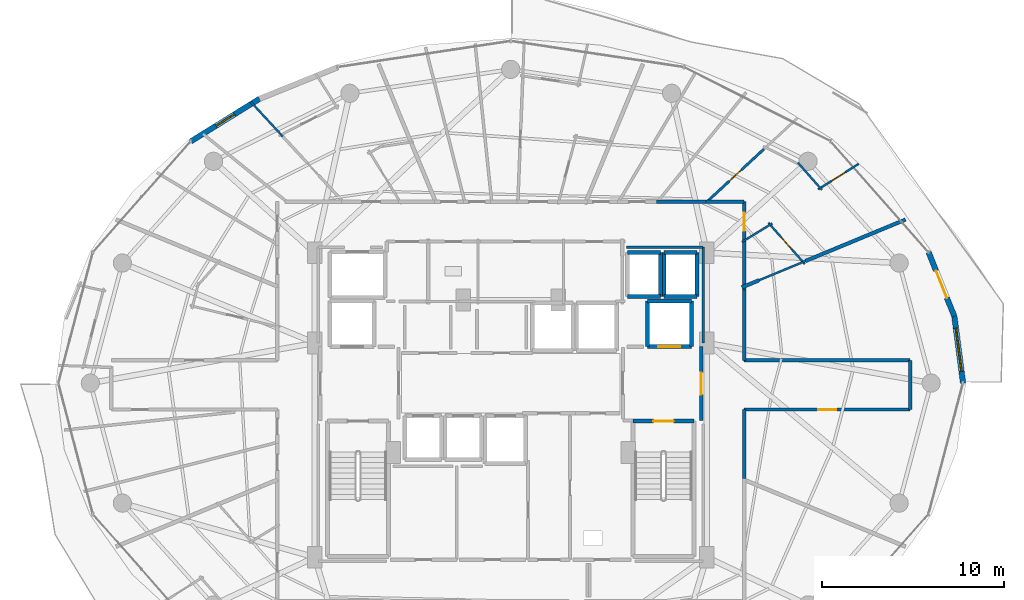
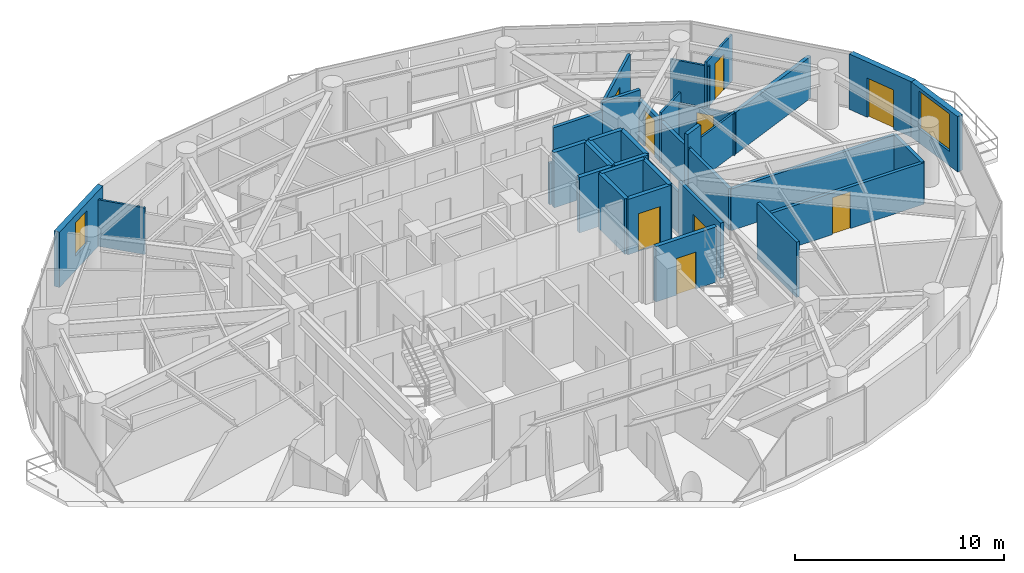
# One storey, part 24 of 28: 36 walls, 9 doors, 2 windows, 11 openings.
"""IFC4 building model written with IfcOpenShell, lengths in metres."""

from ifc_helpers import new_model, si_unit, direction, frame, frame_2d, origin, place, context, subcontext, project, spatial, rectangle, extrude, material, layer, layer_set, type_object, element, fill, save


model = new_model("IFC4")

# Units and contexts
model_context = context("Model", 3, precision=1e-05, world=origin(), true_north=direction((0.0, 1.0)))
body_context = subcontext(model_context, "Body", "Model", "MODEL_VIEW")
ifc_project = project(units=[si_unit("LENGTHUNIT", "METRE"), si_unit("AREAUNIT", "SQUARE_METRE"), si_unit("VOLUMEUNIT", "CUBIC_METRE"), si_unit("PLANEANGLEUNIT", "RADIAN"), si_unit("MASSUNIT", "GRAM", prefix="KILO")], contexts=[model_context])

# Site, building, storey
site_placement = place(None, origin())
site = spatial("IfcSite", under=ifc_project, at=site_placement, CompositionType="ELEMENT")
building_placement = place(site_placement, origin())
building = spatial("IfcBuilding", under=site, at=building_placement, Name="Vorneva Point Tower", CompositionType="ELEMENT")
storey_placement = place(building_placement, frame((0.0, 0.0, 143.10009765625)))
storey = spatial("IfcBuildingStorey", under=building, at=storey_placement, Name="L38", CompositionType="ELEMENT", Elevation=143.10009765625)

# Wall, opening, door
ifc_material_1 = material(Name="Concrete B60 (C50/60)", Category="concrete")
ifc_layer_1 = layer(ifc_material_1, 0.5)
ifc_layer_set_1 = layer_set([ifc_layer_1], Name="Concrete B60 (C50/60)")
wall_type_1 = type_object("IfcWallType", Name="WL-CORE-500", PredefinedType="SHEAR", material=ifc_layer_set_1)
wall_1_placement = place(storey_placement, frame((45.5, 28.0, 0.0), z_axis=(0.0, 0.0, 1.0), x_axis=(1.0, 0.0, 0.0)))
wall_1 = element("IfcWall", 1, at=wall_1_placement, inside=storey, type_object=wall_type_1, Name="L38 Lift FFL2 Shaft Wall -Y", PredefinedType="SHEAR", context=body_context, shape_type="SweptSolid", body=[
    extrude(rectangle(XDim=2.39990234375, YDim=0.219970703125, at=frame_2d((1.199951171875, 0.0))), origin(), (0.0, 0.0, 1.0), 3.239990234375),
])
opening_1_placement = place(wall_1_placement, frame((0.60009765625, 0.0, 0.0)))
opening_1 = element("IfcOpeningElement", 2, at=opening_1_placement, cuts=wall_1, Name="Opening LD-02", PredefinedType="OPENING", context=body_context, shape_type="SweptSolid", body=[
    extrude(rectangle(XDim=1.199951171875, YDim=2.199951171875, at=frame_2d((0.60009765625, 1.10009765625))), frame((0.0, 0.125, 0.0), z_axis=(0.0, -1.0, 0.0), x_axis=(1.0, 0.0, 0.0)), (0.0, 0.0, 1.0), 0.249755859375),
])
ifc_material_2 = material(Name="Brushed stainless steel S304", Category="steel")
door_type_1 = type_object("IfcDoorType", Name="LD-FIRE-1200", OperationType="SLIDING_TO_LEFT", PredefinedType="DOOR", material=ifc_material_2)
door_1_placement = place(opening_1_placement, origin())
door_1 = element("IfcDoor", 3, at=door_1_placement, inside=storey, type_object=door_type_1, Name="L38 Lift FFL2 Sliding Landing Door", OperationType="SLIDING_TO_LEFT", OverallHeight=2.199951171875, OverallWidth=1.199951171875, PredefinedType="DOOR", context=body_context, shape_type="SweptSolid", body=[
    extrude(rectangle(XDim=1.199951171875, YDim=2.199951171875, at=frame_2d((0.60009765625, 1.10009765625))), frame((0.0, 0.02490234375, 0.0), z_axis=(0.0, -1.0, 0.0), x_axis=(1.0, 0.0, 0.0)), (0.0, 0.0, 1.0), 0.050048828125),
])
fill(opening_1, door_1)

# Walls
wall_2_placement = place(storey_placement, frame((47.89990234375, 28.0, 0.0), z_axis=(0.0, 0.0, 1.0), x_axis=(0.0, 1.0, 0.0)))
element("IfcWall", 4, at=wall_2_placement, inside=storey, type_object=wall_type_1, Name="L38 Lift FFL2 Shaft Wall +X", PredefinedType="SHEAR", context=body_context, shape_type="SweptSolid", body=[
    extrude(rectangle(XDim=2.5, YDim=0.219970703125, at=frame_2d((1.25, 0.0))), origin(), (0.0, 0.0, 1.0), 3.239990234375),
])
wall_3_placement = place(storey_placement, frame((47.89990234375, 30.5, 0.0), z_axis=(0.0, 0.0, 1.0), x_axis=(-1.0, 0.0, 0.0)))
element("IfcWall", 5, at=wall_3_placement, inside=storey, type_object=wall_type_1, Name="L38 Lift FFL2 Shaft Wall +Y", PredefinedType="SHEAR", context=body_context, shape_type="SweptSolid", body=[
    extrude(rectangle(XDim=2.39990234375, YDim=0.219970703125, at=frame_2d((1.199951171875, 0.0))), origin(), (0.0, 0.0, 1.0), 3.239990234375),
])
wall_4_placement = place(storey_placement, frame((45.5, 30.5, 0.0), z_axis=(0.0, 0.0, 1.0), x_axis=(0.0, -1.0, 0.0)))
element("IfcWall", 6, at=wall_4_placement, inside=storey, type_object=wall_type_1, Name="L38 Lift FFL2 Shaft Wall -X", PredefinedType="SHEAR", context=body_context, shape_type="SweptSolid", body=[
    extrude(rectangle(XDim=2.5, YDim=0.219970703125, at=frame_2d((1.25, 0.0))), origin(), (0.0, 0.0, 1.0), 3.239990234375),
])

# Wall, opening, window
ifc_material_3 = material(Name="Precast concrete B50 (C40/50)", Category="concrete")
ifc_layer_2 = layer(ifc_material_3, 0.300048828125)
ifc_layer_set_2 = layer_set([ifc_layer_2], Name="Precast concrete B50 (C40/50)")
wall_type_2 = type_object("IfcWallType", Name="WL-EXT-300", PredefinedType="STANDARD", material=ifc_layer_set_2)
wall_5_placement = place(storey_placement, frame((62.800048828125, 26.0, 0.0), z_axis=(0.0, 0.0, 1.0), x_axis=(-0.129189225186, 0.991619959509, 0.0)))
wall_5 = element("IfcWall", 7, at=wall_5_placement, inside=storey, type_object=wall_type_2, Name="L38 Pale-Metal Facade Spandrel Wall 01.1", PredefinedType="STANDARD", context=body_context, shape_type="SweptSolid", body=[
    extrude(rectangle(XDim=3.68896484375, YDim=0.300048828125, at=frame_2d((1.844482421875, 0.0))), origin(), (0.0, 0.0, 1.0), 3.239990234375),
])
opening_2_placement = place(wall_5_placement, frame((0.644287109375, 0.0, 0.85009765625)))
opening_2 = element("IfcOpeningElement", 8, at=opening_2_placement, cuts=wall_5, Name="Opening W-03", PredefinedType="OPENING", context=body_context, shape_type="SweptSolid", body=[
    extrude(rectangle(XDim=2.39990234375, YDim=2.18994140625, at=frame_2d((1.199951171875, 1.094970703125))), frame((0.0, 0.1650390625, 0.0), z_axis=(0.0, -1.0, 0.0), x_axis=(1.0, 0.0, 0.0)), (0.0, 0.0, 1.0), 0.329833984375),
])
ifc_material_4 = material(Name="Double low-e laminated glass IGU", Category="glass")
window_type_1 = type_object("IfcWindowType", Name="WN-RES-2400", PartitioningType="SINGLE_PANEL", PredefinedType="WINDOW", material=ifc_material_4)
window_1_placement = place(opening_2_placement, origin())
window_1 = element("IfcWindow", 9, at=window_1_placement, inside=storey, type_object=window_type_1, Name="L38 Facade Window 01", OverallHeight=2.18994140625, OverallWidth=2.39990234375, PartitioningType="SINGLE_PANEL", PredefinedType="WINDOW", context=body_context, shape_type="SweptSolid", body=[
    extrude(rectangle(XDim=2.39990234375, YDim=2.18994140625, at=frame_2d((1.199951171875, 1.094970703125))), frame((0.0, 0.030029296875, 0.0), z_axis=(0.0, -1.0, 0.0), x_axis=(1.0, 0.0, 0.0)), (0.0, 0.0, 1.0), 0.06005859375),
])
fill(opening_2, window_1)

# Wall, opening, door
wall_6_placement = place(storey_placement, frame((62.323486328125, 29.657958984375, 0.0), z_axis=(0.0, 0.0, 1.0), x_axis=(-0.372401154411, 0.928071861546, 0.0)))
wall_6 = element("IfcWall", 10, at=wall_6_placement, inside=storey, type_object=wall_type_2, Name="L38 Pale-Metal Facade Spandrel Wall 01.2", PredefinedType="STANDARD", context=body_context, shape_type="SweptSolid", body=[
    extrude(rectangle(XDim=3.7900390625, YDim=0.300048828125, at=frame_2d((1.89501953125, 0.0))), origin(), (0.0, 0.0, 1.0), 3.239990234375),
])
opening_3_placement = place(wall_6_placement, frame((1.094970703125, 0.0, 0.0)))
opening_3 = element("IfcOpeningElement", 11, at=opening_3_placement, cuts=wall_6, Name="Opening BD-01", PredefinedType="OPENING", context=body_context, shape_type="SweptSolid", body=[
    extrude(rectangle(XDim=1.60009765625, YDim=2.300048828125, at=frame_2d((0.800048828125, 1.14990234375))), frame((0.0, 0.1650390625, 0.0), z_axis=(0.0, -1.0, 0.0), x_axis=(1.0, 0.0, 0.0)), (0.0, 0.0, 1.0), 0.329833984375),
])
ifc_material_5 = material(Name="Pale anodised aluminium", Category="aluminium")
door_type_2 = type_object("IfcDoorType", Name="DR-BAL-1600", OperationType="SLIDING_TO_LEFT", PredefinedType="DOOR", material=ifc_material_5)
door_2_placement = place(opening_3_placement, origin())
door_2 = element("IfcDoor", 12, at=door_2_placement, inside=storey, type_object=door_type_2, Name="L38 Balcony Terrace Access Door 01", OperationType="SLIDING_TO_LEFT", OverallHeight=2.300048828125, OverallWidth=1.60009765625, PredefinedType="DOOR", context=body_context, shape_type="SweptSolid", body=[
    extrude(rectangle(XDim=1.60009765625, YDim=2.300048828125, at=frame_2d((0.800048828125, 1.14990234375))), frame((0.0, 0.02490234375, 0.0), z_axis=(0.0, -1.0, 0.0), x_axis=(1.0, 0.0, 0.0)), (0.0, 0.0, 1.0), 0.050048828125),
])
fill(opening_3, door_2)

# Wall, opening, window
wall_7_placement = place(storey_placement, frame((24.221923828125, 41.590087890625, 0.0), z_axis=(0.0, 0.0, 1.0), x_axis=(-0.849721181976, -0.527232313977, 0.0)))
wall_7 = element("IfcWall", 13, at=wall_7_placement, inside=storey, type_object=wall_type_2, Name="L38 Pale-Metal Facade Spandrel Wall 06.2", PredefinedType="STANDARD", context=body_context, shape_type="SweptSolid", body=[
    extrude(rectangle(XDim=4.422607421875, YDim=0.300048828125, at=frame_2d((2.21142578125, 0.0))), origin(), (0.0, 0.0, 1.0), 3.239990234375),
])
opening_4_placement = place(wall_7_placement, frame((1.611328125, 0.0, 0.85009765625)))
opening_4 = element("IfcOpeningElement", 14, at=opening_4_placement, cuts=wall_7, Name="Opening W-04", PredefinedType="OPENING", context=body_context, shape_type="SweptSolid", body=[
    extrude(rectangle(XDim=1.199951171875, YDim=1.949951171875, at=frame_2d((0.60009765625, 0.97509765625))), frame((0.0, 0.1650390625, 0.0), z_axis=(0.0, -1.0, 0.0), x_axis=(1.0, 0.0, 0.0)), (0.0, 0.0, 1.0), 0.329833984375),
])
window_type_2 = type_object("IfcWindowType", Name="WN-RES-1200", PartitioningType="SINGLE_PANEL", PredefinedType="WINDOW", material=ifc_material_4)
window_2_placement = place(opening_4_placement, origin())
window_2 = element("IfcWindow", 15, at=window_2_placement, inside=storey, type_object=window_type_2, Name="L38 Dwelling Vision Window 01", OverallHeight=1.949951171875, OverallWidth=1.199951171875, PartitioningType="SINGLE_PANEL", PredefinedType="WINDOW", context=body_context, shape_type="SweptSolid", body=[
    extrude(rectangle(XDim=1.199951171875, YDim=1.949951171875, at=frame_2d((0.60009765625, 0.97509765625))), frame((0.0, 0.030029296875, 0.0), z_axis=(0.0, -1.0, 0.0), x_axis=(1.0, 0.0, 0.0)), (0.0, 0.0, 1.0), 0.06005859375),
])
fill(opening_4, window_2)

# Wall
ifc_material_6 = material(Name="Fire-rated acoustic gypsum stud partition", Category="gypsum")
ifc_layer_3 = layer(ifc_material_6, 0.110107421875)
ifc_layer_set_3 = layer_set([ifc_layer_3], Name="Fire-rated acoustic gypsum stud partition")
wall_type_3 = type_object("IfcWallType", Name="WL-PART-110", PredefinedType="PARTITIONING", material=ifc_layer_set_3)
wall_8_placement = place(storey_placement, frame((50.680419921875, 33.742919921875, 0.0), z_axis=(0.0, 0.0, 1.0), x_axis=(0.853368681548, 0.52130786811, 0.0)))
element("IfcWall", 16, at=wall_8_placement, inside=storey, type_object=wall_type_3, Name="L38 Interior Partition 068", PredefinedType="PARTITIONING", context=body_context, shape_type="SweptSolid", body=[
    extrude(rectangle(XDim=1.9453125, YDim=0.110107421875, at=frame_2d((0.97265625, 0.0))), origin(), (0.0, 0.0, 1.0), 2.971923828125),
])

# Wall, opening, door
wall_9_placement = place(storey_placement, frame((52.12841796875, 34.788818359375, 0.0), z_axis=(0.0, 0.0, 1.0), x_axis=(0.66196248337, -0.74953697081, 0.0)))
wall_9 = element("IfcWall", 17, at=wall_9_placement, inside=storey, type_object=wall_type_3, Name="L38 Interior Partition 069", PredefinedType="PARTITIONING", context=body_context, shape_type="SweptSolid", body=[
    extrude(rectangle(XDim=3.008056640625, YDim=0.110107421875, at=frame_2d((1.50390625, 0.0))), origin(), (0.0, 0.0, 1.0), 2.431884765625),
])
opening_5_placement = place(wall_9_placement, frame((1.0791015625, 0.0, 0.0)))
opening_5 = element("IfcOpeningElement", 18, at=opening_5_placement, cuts=wall_9, Name="Opening ID-02", PredefinedType="OPENING", context=body_context, shape_type="SweptSolid", body=[
    extrude(rectangle(XDim=0.85009765625, YDim=2.10009765625, at=frame_2d((0.425048828125, 1.050048828125))), frame((0.0, 0.06982421875, 0.0), z_axis=(0.0, -1.0, 0.0), x_axis=(1.0, 0.0, 0.0)), (0.0, 0.0, 1.0), 0.139892578125),
])
ifc_material_7 = material(Name="Engineered oak fire-rated door leaf", Category="wood")
door_type_3 = type_object("IfcDoorType", Name="DR-BATH-850", OperationType="NOTDEFINED", PredefinedType="DOOR", material=ifc_material_7)
door_3_placement = place(opening_5_placement, origin())
door_3 = element("IfcDoor", 19, at=door_3_placement, inside=storey, type_object=door_type_3, Name="L38 Door Living and Dining Room L38-01 / Bathroom L38-01", OperationType="SINGLE_SWING_RIGHT", OverallHeight=2.10009765625, OverallWidth=0.85009765625, PredefinedType="DOOR", context=body_context, shape_type="SweptSolid", body=[
    extrude(rectangle(XDim=0.85009765625, YDim=2.10009765625, at=frame_2d((0.425048828125, 1.050048828125))), frame((0.0, 0.02490234375, 0.0), z_axis=(0.0, -1.0, 0.0), x_axis=(1.0, 0.0, 0.0)), (0.0, 0.0, 1.0), 0.050048828125),
])
fill(opening_5, door_3)

# Walls
wall_10_placement = place(storey_placement, frame((54.15625, 32.692626953125, 0.0), z_axis=(0.0, 0.0, 1.0), x_axis=(-0.923770555063, -0.382946421316, 0.0)))
element("IfcWall", 20, at=wall_10_placement, inside=storey, type_object=wall_type_3, Name="L38 Interior Partition 070", PredefinedType="PARTITIONING", context=body_context, shape_type="SweptSolid", body=[
    extrude(rectangle(XDim=2.888671875, YDim=0.110107421875, at=frame_2d((1.4443359375, 0.0))), origin(), (0.0, 0.0, 1.0), 2.431884765625),
])
wall_11_placement = place(storey_placement, frame((55.064697265625, 36.591064453125, 0.0), z_axis=(0.0, 0.0, 1.0), x_axis=(-0.66216897397, 0.749354555542, 0.0)))
element("IfcWall", 21, at=wall_11_placement, inside=storey, type_object=wall_type_3, Name="L38 Interior Partition 071", PredefinedType="PARTITIONING", context=body_context, shape_type="SweptSolid", body=[
    extrude(rectangle(XDim=1.990966796875, YDim=0.110107421875, at=frame_2d((0.99560546875, 0.0))), origin(), (0.0, 0.0, 1.0), 2.431884765625),
])

# Wall, opening, door
wall_12_placement = place(storey_placement, frame((57.075439453125, 38.021484375, 0.0), z_axis=(0.0, 0.0, 1.0), x_axis=(-0.846034075758, -0.533128823697, 0.0)))
wall_12 = element("IfcWall", 22, at=wall_12_placement, inside=storey, type_object=wall_type_3, Name="L38 Interior Partition 074", PredefinedType="PARTITIONING", context=body_context, shape_type="SweptSolid", body=[
    extrude(rectangle(XDim=2.626220703125, YDim=0.110107421875, at=frame_2d((1.31298828125, 0.0))), origin(), (0.0, 0.0, 1.0), 2.727783203125),
])
opening_6_placement = place(wall_12_placement, frame((0.863037109375, 0.0, 0.0)))
opening_6 = element("IfcOpeningElement", 23, at=opening_6_placement, cuts=wall_12, Name="Opening ID-01", PredefinedType="OPENING", context=body_context, shape_type="SweptSolid", body=[
    extrude(rectangle(XDim=0.89990234375, YDim=2.10009765625, at=frame_2d((0.449951171875, 1.050048828125))), frame((0.0, 0.06982421875, 0.0), z_axis=(0.0, -1.0, 0.0), x_axis=(1.0, 0.0, 0.0)), (0.0, 0.0, 1.0), 0.139892578125),
])
door_type_4 = type_object("IfcDoorType", Name="DR-ROOM-900", OperationType="NOTDEFINED", PredefinedType="DOOR", material=ifc_material_7)
door_4_placement = place(opening_6_placement, origin())
door_4 = element("IfcDoor", 24, at=door_4_placement, inside=storey, type_object=door_type_4, Name="L38 Door Living and Dining Room L38-01 / Kitchen L38-01", OperationType="SINGLE_SWING_LEFT", OverallHeight=2.10009765625, OverallWidth=0.89990234375, PredefinedType="DOOR", context=body_context, shape_type="SweptSolid", body=[
    extrude(rectangle(XDim=0.89990234375, YDim=2.10009765625, at=frame_2d((0.449951171875, 1.050048828125))), frame((0.0, 0.02490234375, 0.0), z_axis=(0.0, -1.0, 0.0), x_axis=(1.0, 0.0, 0.0)), (0.0, 0.0, 1.0), 0.050048828125),
])
fill(opening_6, door_4)

# Wall
wall_13_placement = place(storey_placement, frame((25.5048828125, 39.51708984375, 0.0), z_axis=(0.0, 0.0, 1.0), x_axis=(-0.678720806978, 0.734396395808, 0.0)))
element("IfcWall", 25, at=wall_13_placement, inside=storey, type_object=wall_type_3, Name="L38 Interior Partition 096", PredefinedType="PARTITIONING", context=body_context, shape_type="SweptSolid", body=[
    extrude(rectangle(XDim=2.622314453125, YDim=0.110107421875, at=frame_2d((1.31103515625, 0.0))), origin(), (0.0, 0.0, 1.0), 2.727783203125),
])

# Wall, opening, door
ifc_layer_4 = layer(ifc_material_6, 0.139892578125)
ifc_layer_set_4 = layer_set([ifc_layer_4], Name="Fire-rated acoustic gypsum stud partition")
wall_type_4 = type_object("IfcWallType", Name="WL-PART-140", PredefinedType="PARTITIONING", material=ifc_layer_set_4)
wall_14_placement = place(storey_placement, frame((51.873779296875, 38.824462890625, 0.0), z_axis=(0.0, 0.0, 1.0), x_axis=(-0.734347971597, -0.678773199685, 0.0)))
wall_14 = element("IfcWall", 26, at=wall_14_placement, inside=storey, type_object=wall_type_4, Name="L38 Interior Partition 075", PredefinedType="PARTITIONING", context=body_context, shape_type="SweptSolid", body=[
    extrude(rectangle(XDim=4.23486328125, YDim=0.139892578125, at=frame_2d((2.117431640625, 0.0))), origin(), (0.0, 0.0, 1.0), 2.921875),
])
opening_7_placement = place(wall_14_placement, frame((1.66748046875, 0.0, 0.0)))
opening_7 = element("IfcOpeningElement", 27, at=opening_7_placement, cuts=wall_14, Name="Opening ID-01", PredefinedType="OPENING", context=body_context, shape_type="SweptSolid", body=[
    extrude(rectangle(XDim=0.89990234375, YDim=2.10009765625, at=frame_2d((0.449951171875, 1.050048828125))), frame((0.0, 0.0849609375, 0.0), z_axis=(0.0, -1.0, 0.0), x_axis=(1.0, 0.0, 0.0)), (0.0, 0.0, 1.0), 0.169677734375),
])
door_5_placement = place(opening_7_placement, origin())
door_5 = element("IfcDoor", 28, at=door_5_placement, inside=storey, type_object=door_type_4, Name="L38 Door Living and Dining Room L38-01 / Master Bedroom L38-01.1", OperationType="SINGLE_SWING_RIGHT", OverallHeight=2.10009765625, OverallWidth=0.89990234375, PredefinedType="DOOR", context=body_context, shape_type="SweptSolid", body=[
    extrude(rectangle(XDim=0.89990234375, YDim=2.10009765625, at=frame_2d((0.449951171875, 1.050048828125))), frame((0.0, 0.02490234375, 0.0), z_axis=(0.0, -1.0, 0.0), x_axis=(1.0, 0.0, 0.0)), (0.0, 0.0, 1.0), 0.050048828125),
])
fill(opening_7, door_5)

# Walls
wall_15_placement = place(storey_placement, frame((48.550048828125, 28.196044921875, 0.0), z_axis=(0.0, 0.0, 1.0), x_axis=(0.0, 1.0, 0.0)))
element("IfcWall", 29, at=wall_15_placement, inside=storey, type_object=wall_type_4, Name="L38 Interior Closure Partition 147", PredefinedType="PARTITIONING", context=body_context, shape_type="SweptSolid", body=[
    extrude(rectangle(XDim=5.25390625, YDim=0.139892578125, at=frame_2d((2.626953125, 0.0))), origin(), (0.0, 0.0, 1.0), 2.431884765625),
])
wall_16_placement = place(storey_placement, frame((48.550048828125, 33.449951171875, 0.0), z_axis=(0.0, 0.0, 1.0), x_axis=(-1.0, 0.0, 0.0)))
element("IfcWall", 30, at=wall_16_placement, inside=storey, type_object=wall_type_4, Name="L38 Interior Closure Partition 148", PredefinedType="PARTITIONING", context=body_context, shape_type="SweptSolid", body=[
    extrude(rectangle(XDim=4.2099609375, YDim=0.139892578125, at=frame_2d((2.10498046875, 0.0))), origin(), (0.0, 0.0, 1.0), 2.431884765625),
])

# Wall, opening, door
ifc_material_8 = material(Name="Autoclaved aerated concrete blockwork", Category="masonry")
ifc_layer_5 = layer(ifc_material_8, 0.179931640625)
ifc_layer_set_5 = layer_set([ifc_layer_5], Name="Autoclaved aerated concrete blockwork")
wall_type_5 = type_object("IfcWallType", Name="WL-PART-180", PredefinedType="PARTITIONING", material=ifc_layer_set_5)
wall_17_placement = place(storey_placement, frame((48.449951171875, 23.949951171875, 0.0), z_axis=(0.0, 0.0, 1.0), x_axis=(0.0, 1.0, 0.0)))
wall_17 = element("IfcWall", 31, at=wall_17_placement, inside=storey, type_object=wall_type_5, Name="L38 Interior Partition 005", PredefinedType="PARTITIONING", context=body_context, shape_type="SweptSolid", body=[
    extrude(rectangle(XDim=4.050048828125, YDim=0.179931640625, at=frame_2d((2.02490234375, 0.0))), origin(), (0.0, 0.0, 1.0), 3.239990234375),
])
opening_8_placement = place(wall_17_placement, frame((1.425048828125, 0.0, 0.0)))
opening_8 = element("IfcOpeningElement", 32, at=opening_8_placement, cuts=wall_17, Name="Opening FD-02", PredefinedType="OPENING", context=body_context, shape_type="SweptSolid", body=[
    extrude(rectangle(XDim=1.199951171875, YDim=2.14990234375, at=frame_2d((0.60009765625, 1.074951171875))), frame((0.0, 0.10498046875, 0.0), z_axis=(0.0, -1.0, 0.0), x_axis=(1.0, 0.0, 0.0)), (0.0, 0.0, 1.0), 0.209716796875),
])
ifc_material_9 = material(Name="Fire-rated powder-coated steel", Category="steel")
door_type_5 = type_object("IfcDoorType", Name="DR-FFL-1200", OperationType="NOTDEFINED", PredefinedType="DOOR", material=ifc_material_9)
door_6_placement = place(opening_8_placement, origin())
door_6 = element("IfcDoor", 33, at=door_6_placement, inside=storey, type_object=door_type_5, Name="L38 Door East Firefighting Lobby / L38 Circulation Corridor", OperationType="SINGLE_SWING_LEFT", OverallHeight=2.14990234375, OverallWidth=1.199951171875, PredefinedType="DOOR", context=body_context, shape_type="SweptSolid", body=[
    extrude(rectangle(XDim=1.199951171875, YDim=2.14990234375, at=frame_2d((0.60009765625, 1.074951171875))), frame((0.0, 0.02490234375, 0.0), z_axis=(0.0, -1.0, 0.0), x_axis=(1.0, 0.0, 0.0)), (0.0, 0.0, 1.0), 0.050048828125),
])
fill(opening_8, door_6)

wall_18_placement = place(storey_placement, frame((50.800048828125, 33.756103515625, 0.0), z_axis=(0.0, 0.0, 1.0), x_axis=(0.0, 1.0, 0.0)))
wall_18 = element("IfcWall", 34, at=wall_18_placement, inside=storey, type_object=wall_type_5, Name="L38 Interior Partition 029", PredefinedType="PARTITIONING", context=body_context, shape_type="SweptSolid", body=[
    extrude(rectangle(XDim=2.19384765625, YDim=0.179931640625, at=frame_2d((1.096923828125, 0.0))), origin(), (0.0, 0.0, 1.0), 2.431884765625),
])
opening_9_placement = place(wall_18_placement, frame((0.596923828125, 0.0, 0.0)))
opening_9 = element("IfcOpeningElement", 35, at=opening_9_placement, cuts=wall_18, Name="Opening UD-01", PredefinedType="OPENING", context=body_context, shape_type="SweptSolid", body=[
    extrude(rectangle(XDim=1.0, YDim=2.14990234375, at=frame_2d((0.5, 1.074951171875))), frame((0.0, 0.10498046875, 0.0), z_axis=(0.0, -1.0, 0.0), x_axis=(1.0, 0.0, 0.0)), (0.0, 0.0, 1.0), 0.209716796875),
])
door_type_6 = type_object("IfcDoorType", Name="DR-UNIT-1000", OperationType="NOTDEFINED", PredefinedType="DOOR", material=ifc_material_7)
door_7_placement = place(opening_9_placement, origin())
door_7 = element("IfcDoor", 36, at=door_7_placement, inside=storey, type_object=door_type_6, Name="L38 Door L38 Circulation Corridor / Living and Dining Room L38-01", OperationType="SINGLE_SWING_RIGHT", OverallHeight=2.14990234375, OverallWidth=1.0, PredefinedType="DOOR", context=body_context, shape_type="SweptSolid", body=[
    extrude(rectangle(XDim=1.0, YDim=2.14990234375, at=frame_2d((0.5, 1.074951171875))), frame((0.0, 0.02490234375, 0.0), z_axis=(0.0, -1.0, 0.0), x_axis=(1.0, 0.0, 0.0)), (0.0, 0.0, 1.0), 0.050048828125),
])
fill(opening_9, door_7)

# Walls
wall_19_placement = place(storey_placement, frame((50.800048828125, 35.949951171875, 0.0), z_axis=(0.0, 0.0, 1.0), x_axis=(-1.0, 0.0, 0.0)))
element("IfcWall", 37, at=wall_19_placement, inside=storey, type_object=wall_type_5, Name="L38 Interior Partition 030", PredefinedType="PARTITIONING", context=body_context, shape_type="SweptSolid", body=[
    extrude(rectangle(XDim=2.095947265625, YDim=0.179931640625, at=frame_2d((1.0478515625, 0.0))), origin(), (0.0, 0.0, 1.0), 2.971923828125),
])
wall_20_placement = place(storey_placement, frame((50.800048828125, 31.10205078125, 0.0), z_axis=(0.0, 0.0, 1.0), x_axis=(0.0, 1.0, 0.0)))
element("IfcWall", 38, at=wall_20_placement, inside=storey, type_object=wall_type_5, Name="L38 Interior Partition 031", PredefinedType="PARTITIONING", context=body_context, shape_type="SweptSolid", body=[
    extrude(rectangle(XDim=2.7939453125, YDim=0.179931640625, at=frame_2d((1.39697265625, 0.0))), origin(), (0.0, 0.0, 1.0), 2.431884765625),
])
wall_21_placement = place(storey_placement, frame((48.7041015625, 35.949951171875, 0.0), z_axis=(0.0, 0.0, 1.0), x_axis=(-1.0, 0.0, 0.0)))
element("IfcWall", 39, at=wall_21_placement, inside=storey, type_object=wall_type_5, Name="L38 Interior Partition 032", PredefinedType="PARTITIONING", context=body_context, shape_type="SweptSolid", body=[
    extrude(rectangle(XDim=2.70703125, YDim=0.179931640625, at=frame_2d((1.353515625, 0.0))), origin(), (0.0, 0.0, 1.0), 2.431884765625),
])
wall_22_placement = place(storey_placement, frame((50.800048828125, 20.758056640625, 0.0), z_axis=(0.0, 0.0, 1.0), x_axis=(0.0, 1.0, 0.0)))
element("IfcWall", 40, at=wall_22_placement, inside=storey, type_object=wall_type_5, Name="L38 Interior Partition 063", PredefinedType="PARTITIONING", context=body_context, shape_type="SweptSolid", body=[
    extrude(rectangle(XDim=3.7919921875, YDim=0.179931640625, at=frame_2d((1.89599609375, 0.0))), origin(), (0.0, 0.0, 1.0), 3.239990234375),
])

# Wall, opening, door
wall_23_placement = place(storey_placement, frame((50.800048828125, 24.550048828125, 0.0), z_axis=(0.0, 0.0, 1.0), x_axis=(1.0, 0.0, 0.0)))
wall_23 = element("IfcWall", 41, at=wall_23_placement, inside=storey, type_object=wall_type_5, Name="L38 Interior Partition 064", PredefinedType="PARTITIONING", context=body_context, shape_type="SweptSolid", body=[
    extrude(rectangle(XDim=9.099853515625, YDim=0.179931640625, at=frame_2d((4.5498046875, 0.0))), origin(), (0.0, 0.0, 1.0), 2.431884765625),
])
opening_10_placement = place(wall_23_placement, frame((4.050048828125, 0.0, 0.0)))
opening_10 = element("IfcOpeningElement", 42, at=opening_10_placement, cuts=wall_23, Name="Opening UD-01", PredefinedType="OPENING", context=body_context, shape_type="SweptSolid", body=[
    extrude(rectangle(XDim=1.0, YDim=2.14990234375, at=frame_2d((0.5, 1.074951171875))), frame((0.0, 0.10498046875, 0.0), z_axis=(0.0, -1.0, 0.0), x_axis=(1.0, 0.0, 0.0)), (0.0, 0.0, 1.0), 0.209716796875),
])
door_8_placement = place(opening_10_placement, origin())
door_8 = element("IfcDoor", 43, at=door_8_placement, inside=storey, type_object=door_type_6, Name="L38 Door L38 Circulation Corridor / Residents Co-Working Office L38-08", OperationType="SINGLE_SWING_LEFT", OverallHeight=2.14990234375, OverallWidth=1.0, PredefinedType="DOOR", context=body_context, shape_type="SweptSolid", body=[
    extrude(rectangle(XDim=1.0, YDim=2.14990234375, at=frame_2d((0.5, 1.074951171875))), frame((0.0, 0.02490234375, 0.0), z_axis=(0.0, -1.0, 0.0), x_axis=(1.0, 0.0, 0.0)), (0.0, 0.0, 1.0), 0.050048828125),
])
fill(opening_10, door_8)

# Walls
wall_24_placement = place(storey_placement, frame((59.89990234375, 24.550048828125, 0.0), z_axis=(0.0, 0.0, 1.0), x_axis=(0.0, 1.0, 0.0)))
element("IfcWall", 44, at=wall_24_placement, inside=storey, type_object=wall_type_5, Name="L38 Interior Partition 065", PredefinedType="PARTITIONING", context=body_context, shape_type="SweptSolid", body=[
    extrude(rectangle(XDim=2.699951171875, YDim=0.179931640625, at=frame_2d((1.35009765625, 0.0))), origin(), (0.0, 0.0, 1.0), 2.431884765625),
])
wall_25_placement = place(storey_placement, frame((59.89990234375, 27.25, 0.0), z_axis=(0.0, 0.0, 1.0), x_axis=(-1.0, 0.0, 0.0)))
element("IfcWall", 45, at=wall_25_placement, inside=storey, type_object=wall_type_5, Name="L38 Interior Partition 066", PredefinedType="PARTITIONING", context=body_context, shape_type="SweptSolid", body=[
    extrude(rectangle(XDim=9.099853515625, YDim=0.179931640625, at=frame_2d((4.5498046875, 0.0))), origin(), (0.0, 0.0, 1.0), 2.431884765625),
])
wall_26_placement = place(storey_placement, frame((50.800048828125, 27.25, 0.0), z_axis=(0.0, 0.0, 1.0), x_axis=(0.0, 1.0, 0.0)))
element("IfcWall", 46, at=wall_26_placement, inside=storey, type_object=wall_type_5, Name="L38 Interior Partition 067", PredefinedType="PARTITIONING", context=body_context, shape_type="SweptSolid", body=[
    extrude(rectangle(XDim=3.85205078125, YDim=0.179931640625, at=frame_2d((1.926025390625, 0.0))), origin(), (0.0, 0.0, 1.0), 2.431884765625),
])
ifc_layer_6 = layer(ifc_material_8, 0.199951171875)
ifc_layer_set_6 = layer_set([ifc_layer_6], Name="Autoclaved aerated concrete blockwork")
wall_type_6 = type_object("IfcWallType", Name="WL-PART-200", PredefinedType="PARTITIONING", material=ifc_layer_set_6)
wall_27_placement = place(storey_placement, frame((54.156494140625, 32.692138671875, 0.0), z_axis=(0.0, 0.0, 1.0), x_axis=(0.923849528339, 0.382755860814, 0.0)))
element("IfcWall", 47, at=wall_27_placement, inside=storey, type_object=wall_type_6, Name="L38 Interior Partition 076", PredefinedType="PARTITIONING", context=body_context, shape_type="SweptSolid", body=[
    extrude(rectangle(XDim=5.94091796875, YDim=0.199951171875, at=frame_2d((2.970458984375, 0.0))), origin(), (0.0, 0.0, 1.0), 2.431884765625),
])
wall_28_placement = place(storey_placement, frame((50.670654296875, 31.24853515625, 0.0), z_axis=(0.0, 0.0, 1.0), x_axis=(0.924089428906, 0.38217630406, 0.0)))
element("IfcWall", 48, at=wall_28_placement, inside=storey, type_object=wall_type_6, Name="L38 Interior Partition 077", PredefinedType="PARTITIONING", context=body_context, shape_type="SweptSolid", body=[
    extrude(rectangle(XDim=1.02392578125, YDim=0.199951171875, at=frame_2d((0.511962890625, 0.0))), origin(), (0.0, 0.0, 1.0), 3.239990234375),
])

# Wall, opening, door
ifc_material_10 = material(Name="Concrete B50 (C40/50)", Category="concrete")
ifc_layer_7 = layer(ifc_material_10, 0.219970703125)
ifc_layer_set_7 = layer_set([ifc_layer_7], Name="Concrete B50 (C40/50)")
wall_type_7 = type_object("IfcWallType", Name="WL-SHFT-220", PredefinedType="SOLIDWALL", material=ifc_layer_set_7)
wall_29_placement = place(storey_placement, frame((44.68994140625, 23.909912109375, 0.0), z_axis=(0.0, 0.0, 1.0), x_axis=(1.0, 0.0, 0.0)))
wall_29 = element("IfcWall", 49, at=wall_29_placement, inside=storey, type_object=wall_type_7, Name="L38 Exit Stair ST2 Shaft Wall near", PredefinedType="SOLIDWALL", context=body_context, shape_type="SweptSolid", body=[
    extrude(rectangle(XDim=3.3701171875, YDim=0.219970703125, at=frame_2d((1.68505859375, 0.0))), origin(), (0.0, 0.0, 1.0), 3.239990234375),
])
opening_11_placement = place(wall_29_placement, frame((1.135009765625, 0.0, 0.0)))
opening_11 = element("IfcOpeningElement", 50, at=opening_11_placement, cuts=wall_29, Name="Opening FD-01", PredefinedType="OPENING", context=body_context, shape_type="SweptSolid", body=[
    extrude(rectangle(XDim=1.10009765625, YDim=2.14990234375, at=frame_2d((0.550048828125, 1.074951171875))), frame((0.0, 0.125, 0.0), z_axis=(0.0, -1.0, 0.0), x_axis=(1.0, 0.0, 0.0)), (0.0, 0.0, 1.0), 0.249755859375),
])
door_type_7 = type_object("IfcDoorType", Name="DR-STAIR-1100", OperationType="NOTDEFINED", PredefinedType="DOOR", material=ifc_material_9)
door_9_placement = place(opening_11_placement, origin())
door_9 = element("IfcDoor", 51, at=door_9_placement, inside=storey, type_object=door_type_7, Name="L38 Exit Stair ST2 Fire Door", OperationType="SINGLE_SWING_LEFT", OverallHeight=2.14990234375, OverallWidth=1.10009765625, PredefinedType="DOOR", context=body_context, shape_type="SweptSolid", body=[
    extrude(rectangle(XDim=1.10009765625, YDim=2.14990234375, at=frame_2d((0.550048828125, 1.074951171875))), frame((0.0, 0.02490234375, 0.0), z_axis=(0.0, -1.0, 0.0), x_axis=(1.0, 0.0, 0.0)), (0.0, 0.0, 1.0), 0.050048828125),
])
fill(opening_11, door_9)

# Walls
wall_30_placement = place(storey_placement, frame((44.39990234375, 30.739990234375, 0.0), z_axis=(0.0, 0.0, 1.0), x_axis=(1.0, 0.0, 0.0)))
element("IfcWall", 52, at=wall_30_placement, inside=storey, type_object=wall_type_7, Name="L38 Lift EX1 Shaft Wall -Y", PredefinedType="SOLIDWALL", context=body_context, shape_type="SweptSolid", body=[
    extrude(rectangle(XDim=1.800048828125, YDim=0.219970703125, at=frame_2d((0.89990234375, 0.0))), origin(), (0.0, 0.0, 1.0), 3.239990234375),
])
wall_31_placement = place(storey_placement, frame((46.199951171875, 30.739990234375, 0.0), z_axis=(0.0, 0.0, 1.0), x_axis=(0.0, 1.0, 0.0)))
element("IfcWall", 53, at=wall_31_placement, inside=storey, type_object=wall_type_7, Name="L38 Lift EX1 Shaft Wall +X", PredefinedType="SOLIDWALL", context=body_context, shape_type="SweptSolid", body=[
    extrude(rectangle(XDim=2.419921875, YDim=0.219970703125, at=frame_2d((1.2099609375, 0.0))), origin(), (0.0, 0.0, 1.0), 3.239990234375),
])
for number, where, z_axis, x_axis, name in (
    (54, (46.199951171875, 33.159912109375, 0.0), (0.0, 0.0, 1.0), (-1.0, 0.0, 0.0), "L38 Lift EX1 Shaft Wall +Y"),
    (55, (46.39990234375, 30.739990234375, 0.0), (0.0, 0.0, 1.0), (1.0, 0.0, 0.0), "L38 Lift EX2 Shaft Wall -Y"),
):
    element("IfcWall", number, at=place(storey_placement, frame(where, z_axis=z_axis, x_axis=x_axis)), inside=storey, type_object=wall_type_7, Name=name, PredefinedType="SOLIDWALL", context=body_context, shape_type="SweptSolid", body=[
        extrude(rectangle(XDim=1.800048828125, YDim=0.219970703125, at=frame_2d((0.89990234375, 0.0))), origin(), (0.0, 0.0, 1.0), 3.239990234375),
    ])
wall_32_placement = place(storey_placement, frame((48.199951171875, 30.739990234375, 0.0), z_axis=(0.0, 0.0, 1.0), x_axis=(0.0, 1.0, 0.0)))
element("IfcWall", 56, at=wall_32_placement, inside=storey, type_object=wall_type_7, Name="L38 Lift EX2 Shaft Wall +X", PredefinedType="SOLIDWALL", context=body_context, shape_type="SweptSolid", body=[
    extrude(rectangle(XDim=2.419921875, YDim=0.219970703125, at=frame_2d((1.2099609375, 0.0))), origin(), (0.0, 0.0, 1.0), 3.239990234375),
])
wall_33_placement = place(storey_placement, frame((48.199951171875, 33.159912109375, 0.0), z_axis=(0.0, 0.0, 1.0), x_axis=(-1.0, 0.0, 0.0)))
element("IfcWall", 57, at=wall_33_placement, inside=storey, type_object=wall_type_7, Name="L38 Lift EX2 Shaft Wall +Y", PredefinedType="SOLIDWALL", context=body_context, shape_type="SweptSolid", body=[
    extrude(rectangle(XDim=1.800048828125, YDim=0.219970703125, at=frame_2d((0.89990234375, 0.0))), origin(), (0.0, 0.0, 1.0), 3.239990234375),
])
wall_34_placement = place(storey_placement, frame((46.39990234375, 33.159912109375, 0.0), z_axis=(0.0, 0.0, 1.0), x_axis=(0.0, -1.0, 0.0)))
element("IfcWall", 58, at=wall_34_placement, inside=storey, type_object=wall_type_7, Name="L38 Lift EX2 Shaft Wall -X", PredefinedType="SOLIDWALL", context=body_context, shape_type="SweptSolid", body=[
    extrude(rectangle(XDim=2.419921875, YDim=0.219970703125, at=frame_2d((1.2099609375, 0.0))), origin(), (0.0, 0.0, 1.0), 3.239990234375),
])

save(model, "model.ifc")
